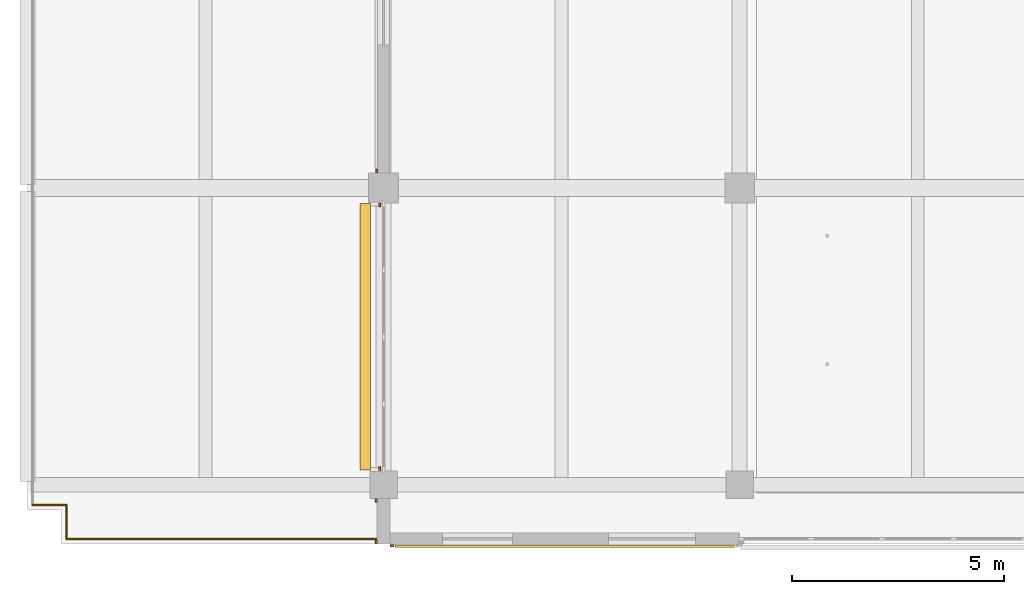
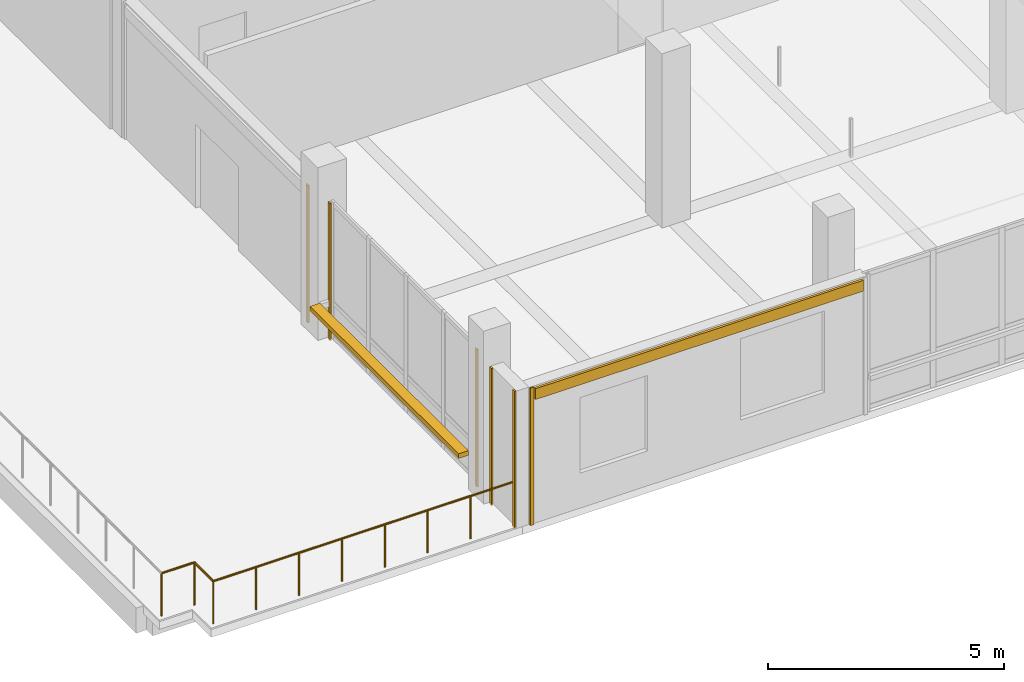
# One storey, part 16 of 28: 7 coverings, 1 railing, 1 shading device.
"""IFC4 building model written with IfcOpenShell, lengths in metres."""

from ifc_helpers import new_model, si_unit, direction, frame, origin, origin_2d, place, context, subcontext, project, spatial, rectangle, circle, extrude, material, layer, layer_set, type_object, element, save


model = new_model("IFC4")

# Units and contexts
model_context = context("Model", 3, precision=1e-05, world=origin(), true_north=direction((0.0, 1.0)))
body_context = subcontext(model_context, "Body", "Model", "MODEL_VIEW")
ifc_project = project(units=[si_unit("LENGTHUNIT", "METRE"), si_unit("AREAUNIT", "SQUARE_METRE"), si_unit("VOLUMEUNIT", "CUBIC_METRE"), si_unit("PLANEANGLEUNIT", "RADIAN"), si_unit("MASSUNIT", "GRAM", prefix="KILO")], contexts=[model_context])

# Site, building, storey
site_placement = place(None, origin())
site = spatial("IfcSite", under=ifc_project, at=site_placement, CompositionType="ELEMENT")
building_placement = place(site_placement, origin())
building = spatial("IfcBuilding", under=site, at=building_placement, Name="Telukmera Botanical Conservatory", CompositionType="ELEMENT")
storey_placement = place(building_placement, frame((0.0, 0.0, 51.0)))
storey = spatial("IfcBuildingStorey", under=building, at=storey_placement, Name="L11", CompositionType="ELEMENT", Elevation=51.0)

# Railing
ifc_material_1 = material(Name="Brushed stainless steel grade 316", Category="steel")
railing_type = type_object("IfcRailingType", Name="Exterior Terrace Safety Guardrail 1100", PredefinedType="GUARDRAIL", material=ifc_material_1)
railing_placement = place(storey_placement, frame((58.64990234375, 9.320068359375, 0.0400390625)))
element("IfcRailing", 1, at=railing_placement, inside=storey, type_object=railing_type, Name="Tower Sky Terrace Guardrail L11 S", PredefinedType="GUARDRAIL", context=body_context, shape_type="SweptSolid", body=[
    extrude(circle(Radius=0.02392578125, at=origin_2d()), frame((0.0, 0.0, 1.09619140625), z_axis=(-1.0, 0.0, 0.0), x_axis=(0.0, -1.0, 0.0)), (0.0, 0.0, 1.0), 7.329833984375),
    extrude(circle(Radius=0.02392578125, at=origin_2d()), frame((-7.329833984375, 0.0, 1.09619140625), z_axis=(0.0, 1.0, 0.0), x_axis=(-1.0, 0.0, 0.0)), (0.0, 0.0, 1.0), 0.800048828125),
    extrude(circle(Radius=0.02392578125, at=origin_2d()), frame((-7.329833984375, 0.800048828125, 1.09619140625), z_axis=(-1.0, 0.0, 0.0), x_axis=(0.0, -1.0, 0.0)), (0.0, 0.0, 1.0), 0.800048828125),
    extrude(circle(Radius=0.02099609375, at=origin_2d()), origin(), (0.0, 0.0, 1.0), 1.072021484375),
    extrude(circle(Radius=0.02099609375, at=origin_2d()), frame((-1.047119140625, 0.0, 0.0)), (0.0, 0.0, 1.0), 1.072021484375),
    extrude(circle(Radius=0.02099609375, at=origin_2d()), frame((-2.09423828125, 0.0, 0.0)), (0.0, 0.0, 1.0), 1.072021484375),
    extrude(circle(Radius=0.02099609375, at=origin_2d()), frame((-3.141357421875, 0.0, 0.0)), (0.0, 0.0, 1.0), 1.072021484375),
    extrude(circle(Radius=0.02099609375, at=origin_2d()), frame((-4.1884765625, 0.0, 0.0)), (0.0, 0.0, 1.0), 1.072021484375),
    extrude(circle(Radius=0.02099609375, at=origin_2d()), frame((-5.235595703125, 0.0, 0.0)), (0.0, 0.0, 1.0), 1.072021484375),
    extrude(circle(Radius=0.02099609375, at=origin_2d()), frame((-6.28271484375, 0.0, 0.0)), (0.0, 0.0, 1.0), 1.072021484375),
    extrude(circle(Radius=0.02099609375, at=origin_2d()), frame((-7.329833984375, 0.0, 0.0)), (0.0, 0.0, 1.0), 1.072021484375),
    extrude(circle(Radius=0.02099609375, at=origin_2d()), frame((-7.329833984375, 0.800048828125, 0.0)), (0.0, 0.0, 1.0), 1.072021484375),
    extrude(circle(Radius=0.02099609375, at=origin_2d()), frame((-8.1298828125, 0.800048828125, 0.0)), (0.0, 0.0, 1.0), 1.072021484375),
])

# Coverings
ifc_material_2 = material(Name="Granite-faced precast concrete C40/50", Category="masonry")
ifc_layer_1 = layer(ifc_material_2, 0.0400390625)
ifc_layer_set_1 = layer_set([ifc_layer_1], Name="Granite-faced precast concrete C40/50")
covering_type_1 = type_object("IfcCoveringType", Name="Granite Precast Column Pier Reveal Casing", PredefinedType="CLADDING", material=ifc_layer_set_1)
for number, where, z_axis, x_axis, name in (
    (2, (58.6298828125, 9.25, 0.0), (0.0, 0.0, 1.0), (0.0, 1.0, 0.0), "Granite Pier Reveal V4:L11:SWC L"),
    (3, (58.6298828125, 10.222900390625, 0.0), (0.0, 0.0, 1.0), (0.0, 1.0, 0.0), "Granite Pier Reveal V4:L11:SWC R"),
    (4, (59.001953125, 9.159912109375, 0.0), (0.0, 0.0, 1.0), (1.0, 0.0, 0.0), "Granite Pier Reveal V4:L11:S1 L"),
    (5, (58.7099609375, 10.97705078125, 0.0), (0.0, 0.0, 1.0), (0.0, 1.0, 0.0), "Granite Pier Reveal V4:L11:W1 L"),
    (6, (58.7099609375, 17.197998046875, 0.0), (0.0, 0.0, 1.0), (0.0, 1.0, 0.0), "Granite Pier Reveal V4:L11:W1 R"),
    (7, (58.639892578125, 18.001953125, 0.0), (0.0, 0.0, 1.0), (0.0, 1.0, 0.0), "Granite Pier Reveal V4:L11:W2 L"),
):
    element("IfcCovering", number, at=place(storey_placement, frame(where, z_axis=z_axis, x_axis=x_axis)), inside=storey, type_object=covering_type_1, Name=name, PredefinedType="CLADDING", context=body_context, shape_type="SweptSolid", body=[
        extrude(rectangle(XDim=0.080078125, YDim=0.0400390625, at=origin_2d()), origin(), (0.0, 0.0, 1.0), 3.550048828125),
    ])

# Shading device
ifc_material_3 = material(Name="Perforated terracotta-anodised aluminium 6063-T6", Category="masonry")
ifc_layer_2 = layer(ifc_material_3, 0.044921875)
ifc_layer_set_2 = layer_set([ifc_layer_2], Name="Perforated terracotta-anodised aluminium 6063-T6")
shading_device_type = type_object("IfcShadingDeviceType", Name="Perforated Terracotta Aluminium Monsoon Brise Soleil", PredefinedType="JALOUSIE", material=ifc_layer_set_2)
shading_device_placement = place(storey_placement, frame((58.3701171875, 14.08740234375, 0.889892578125), z_axis=(0.0, 0.0, 1.0), x_axis=(0.0, 1.0, 0.0)))
element("IfcShadingDevice", 8, at=shading_device_placement, inside=storey, type_object=shading_device_type, Name="Monsoon Shading BS01 V4:L11:W1", PredefinedType="JALOUSIE", context=body_context, shape_type="SweptSolid", body=[
    extrude(rectangle(XDim=6.281005859375, YDim=0.239990234375, at=origin_2d()), origin(), (0.0, 0.0, 1.0), 0.1201171875),
])

# Covering
ifc_material_4 = material(Name="Terracotta-faced precast concrete C40/50", Category="masonry")
ifc_layer_3 = layer(ifc_material_4, 0.06005859375)
ifc_layer_set_3 = layer_set([ifc_layer_3], Name="Terracotta-faced precast concrete C40/50")
covering_type_2 = type_object("IfcCoveringType", Name="Polychrome Terracotta Facade Band Cladding", PredefinedType="CLADDING", material=ifc_layer_set_3)
covering_placement = place(storey_placement, frame((63.074951171875, 9.14990234375, 3.22998046875), z_axis=(0.0, 0.0, 1.0), x_axis=(1.0, 0.0, 0.0)))
element("IfcCovering", 9, at=covering_placement, inside=storey, type_object=covering_type_2, Name="Polychrome Terracotta Band V4:L11:S1", PredefinedType="CLADDING", context=body_context, shape_type="SweptSolid", body=[
    extrude(rectangle(XDim=8.006103515625, YDim=0.06005859375, at=origin_2d()), origin(), (0.0, 0.0, 1.0), 0.280029296875),
])

save(model, "model.ifc")
